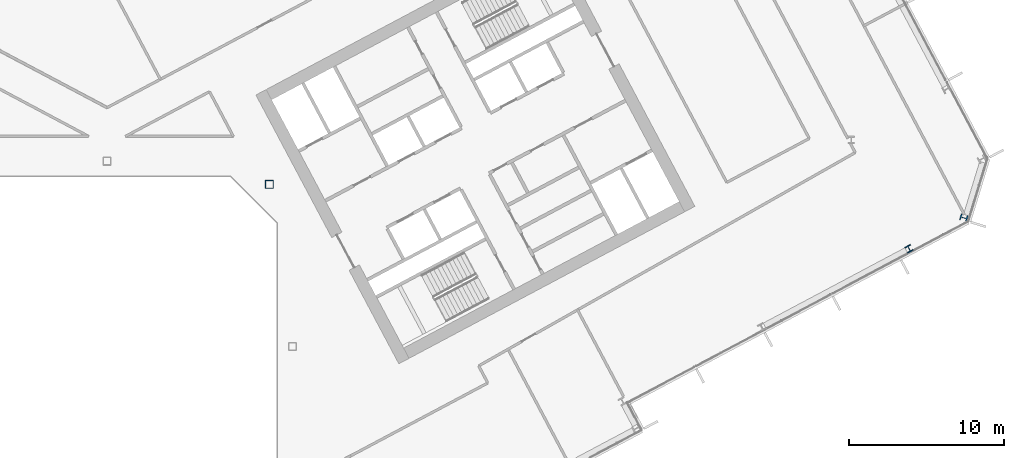
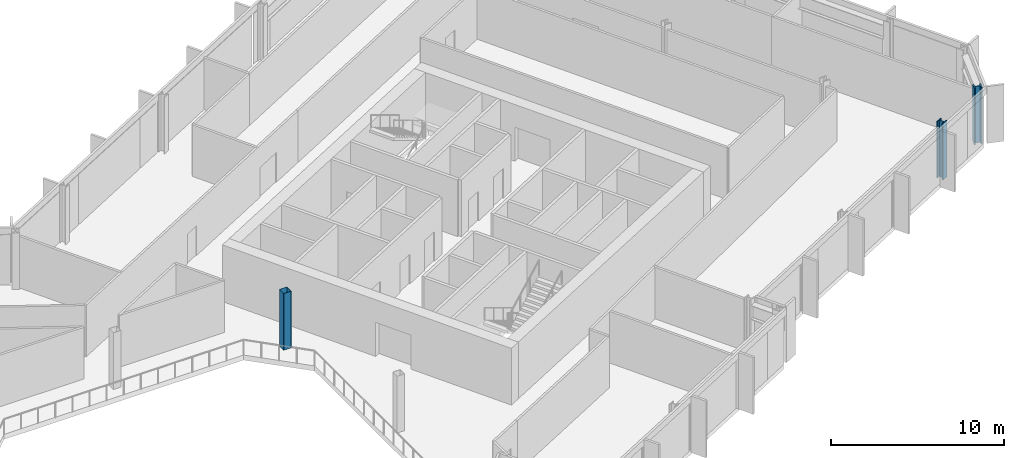
# One storey, part 6 of 28: 3 columns.
"""IFC4 building model written with IfcOpenShell, lengths in metres."""

from ifc_helpers import new_model, si_unit, direction, frame, origin, origin_2d, place, context, subcontext, project, spatial, hollow_rectangle, i_section, extrude, material, material_profile, profile_set, type_object, element, save


model = new_model("IFC4")

# Units and contexts
model_context = context("Model", 3, precision=1e-05, world=origin(), true_north=direction((0.0, 1.0)))
body_context = subcontext(model_context, "Body", "Model", "MODEL_VIEW")
ifc_project = project(units=[si_unit("LENGTHUNIT", "METRE"), si_unit("AREAUNIT", "SQUARE_METRE"), si_unit("VOLUMEUNIT", "CUBIC_METRE"), si_unit("PLANEANGLEUNIT", "RADIAN"), si_unit("MASSUNIT", "GRAM", prefix="KILO")], contexts=[model_context])

# Site, building, storey
site_placement = place(None, origin())
site = spatial("IfcSite", under=ifc_project, at=site_placement, CompositionType="ELEMENT")
building_placement = place(site_placement, origin())
building = spatial("IfcBuilding", under=site, at=building_placement, Name="Cormorant Relay Tower", CompositionType="ELEMENT")
storey_placement = place(building_placement, frame((0.0, 0.0, 150.199951171875)))
storey = spatial("IfcBuildingStorey", under=building, at=storey_placement, Name="L31", CompositionType="ELEMENT", Elevation=150.199951171875)

# Columns
ifc_material_1 = material(Name="Steel ASTM A500 Grade C (Fy 345 MPa)", Category="steel")
ifc_material_profile_1 = material_profile(ifc_material_1, hollow_rectangle(XDim=0.508056640625, YDim=0.508056640625, WallThickness=0.01171875, InnerFilletRadius=0.005859375, OuterFilletRadius=0.017822265625, at=origin_2d()), Name="HSS508x508x12")
ifc_profile_set_1 = profile_set([ifc_material_profile_1], Name="Steel ASTM A500 Grade C (Fy 345 MPa)")
column_type_1 = type_object("IfcColumnType", Name="Column HSS508x508x12", PredefinedType="COLUMN", material=ifc_profile_set_1)
column_1_placement = place(storey_placement, frame((10.5, 10.5, 0.0), z_axis=(0.0, 0.0, 1.0), x_axis=(1.0, 0.0, 0.0)))
element("IfcColumn", 1, at=column_1_placement, inside=storey, type_object=column_type_1, Name="Column L31-024", PredefinedType="COLUMN", context=body_context, shape_type="SweptSolid", body=[
    extrude(hollow_rectangle(XDim=0.508056640625, YDim=0.508056640625, WallThickness=0.01171875, InnerFilletRadius=0.005859375, OuterFilletRadius=0.017822265625, at=origin_2d()), origin(), (0.0, 0.0, 1.0), 4.0),
])
ifc_material_2 = material(Name="Steel ASTM A992 (Fy 345 MPa)", Category="steel")
ifc_material_profile_2 = material_profile(ifc_material_2, i_section(OverallWidth=0.41162109375, OverallDepth=0.434326171875, WebThickness=0.035888671875, FlangeThickness=0.057373046875, FilletRadius=0.01513671875, at=origin_2d()), Name="W360x463")
ifc_profile_set_2 = profile_set([ifc_material_profile_2], Name="Steel ASTM A992 (Fy 345 MPa)")
column_type_2 = type_object("IfcColumnType", Name="Column W360x463", PredefinedType="COLUMN", material=ifc_profile_set_2)
column_2_placement = place(storey_placement, frame((51.905029296875, 6.327880859375, 0.0), z_axis=(0.0, 0.0, 1.0), x_axis=(0.882947592859, 0.469471562786, 0.0)))
element("IfcColumn", 2, at=column_2_placement, inside=storey, type_object=column_type_2, Name="Column L31-020", PredefinedType="COLUMN", context=body_context, shape_type="SweptSolid", body=[
    extrude(i_section(OverallWidth=0.41162109375, OverallDepth=0.434326171875, WebThickness=0.035888671875, FlangeThickness=0.057373046875, FilletRadius=0.01513671875, at=origin_2d()), origin(), (0.0, 0.0, 1.0), 4.0),
])
ifc_material_3 = material(Name="Steel ASTM A992 (Fy 345 MPa)", Category="steel")
ifc_material_profile_3 = material_profile(ifc_material_3, i_section(OverallWidth=0.42431640625, OverallDepth=0.47509765625, WebThickness=0.0478515625, FlangeThickness=0.0771484375, FilletRadius=0.014892578125, at=origin_2d()), Name="W360x634")
ifc_profile_set_3 = profile_set([ifc_material_profile_3], Name="Steel ASTM A992 (Fy 345 MPa)")
column_type_3 = type_object("IfcColumnType", Name="Column W360x634", PredefinedType="COLUMN", material=ifc_profile_set_3)
column_3_placement = place(storey_placement, frame((55.446044921875, 8.3291015625, 0.0), z_axis=(0.0, 0.0, 1.0), x_axis=(0.292371704723, 0.956304755963, 0.0)))
element("IfcColumn", 3, at=column_3_placement, inside=storey, type_object=column_type_3, Name="Column L31-021", PredefinedType="COLUMN", context=body_context, shape_type="SweptSolid", body=[
    extrude(i_section(OverallWidth=0.42431640625, OverallDepth=0.47509765625, WebThickness=0.0478515625, FlangeThickness=0.0771484375, FilletRadius=0.014892578125, at=origin_2d()), origin(), (0.0, 0.0, 1.0), 4.0),
])

save(model, "model.ifc")
